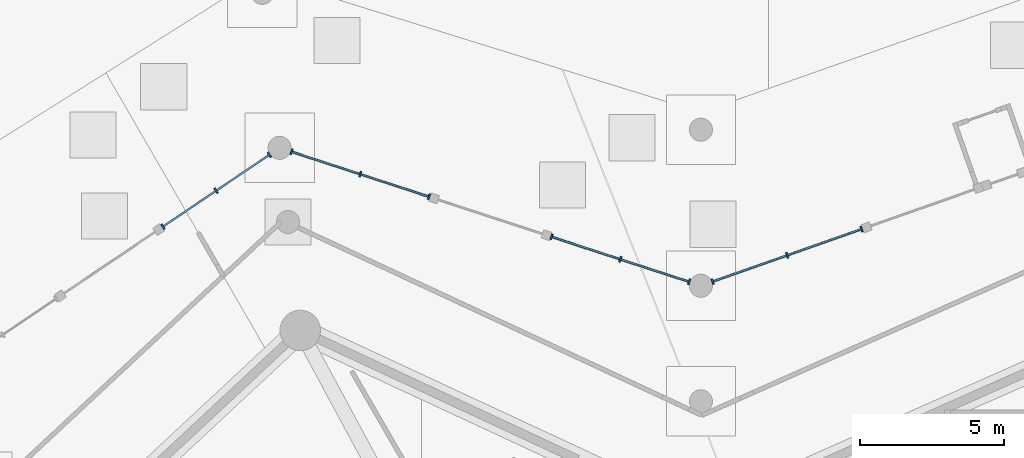
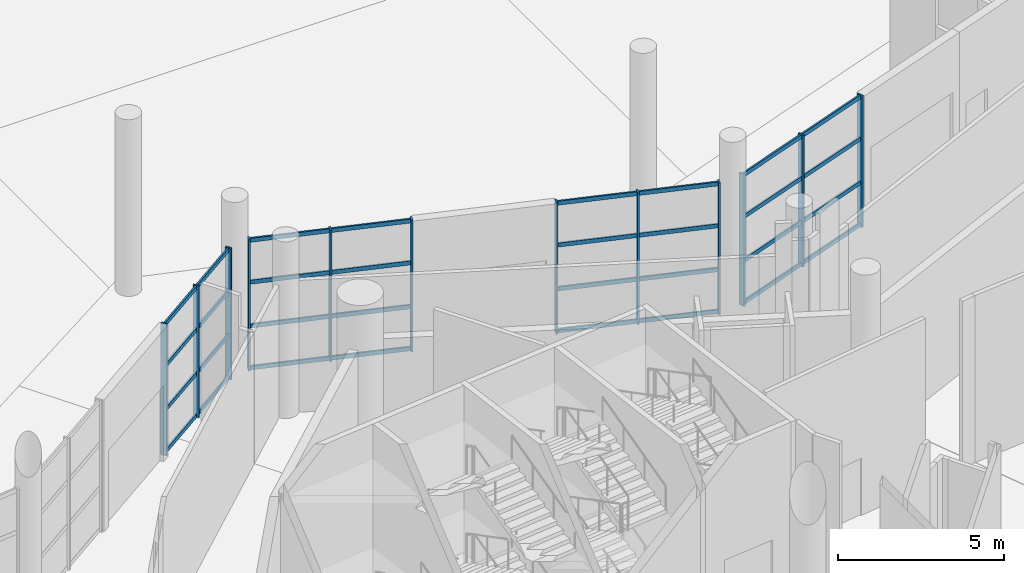
# One storey, part 54 of 255: 44 members, 4 elements without a shape of their own.
"""IFC4 building model written with IfcOpenShell, lengths in metres."""

from ifc_helpers import new_model, si_unit, direction, frame, origin, origin_2d, place, context, subcontext, project, spatial, rectangle, extrude, material, layer, layer_set, material_profile, profile_set, type_object, element, aggregate, save


model = new_model("IFC4")

# Units and contexts
model_context = context("Model", 3, precision=1e-05, world=origin(), true_north=direction((0.0, 1.0)))
body_context = subcontext(model_context, "Body", "Model", "MODEL_VIEW")
ifc_project = project(units=[si_unit("LENGTHUNIT", "METRE"), si_unit("AREAUNIT", "SQUARE_METRE"), si_unit("VOLUMEUNIT", "CUBIC_METRE"), si_unit("PLANEANGLEUNIT", "RADIAN"), si_unit("MASSUNIT", "GRAM", prefix="KILO")], contexts=[model_context])

# Site, building, storey
site_placement = place(None, origin())
site = spatial("IfcSite", under=ifc_project, at=site_placement, CompositionType="ELEMENT")
building_placement = place(site_placement, origin())
building = spatial("IfcBuilding", under=site, at=building_placement, Name="Meseta Stadium", CompositionType="ELEMENT")
storey_placement = place(building_placement, origin())
storey = spatial("IfcBuildingStorey", under=building, at=storey_placement, Name="L00", CompositionType="ELEMENT", Elevation=0.0)

# Curtain wall, members
ifc_material_1 = material(Name="Aluminium", Category="aluminium")
ifc_layer = layer(ifc_material_1, 0.199951171875)
ifc_layer_set = layer_set([ifc_layer], Name="Ring shopfront curtain wall")
curtain_wall_type = type_object("IfcCurtainWallType", Name="Ring shopfront curtain wall", PredefinedType="NOTDEFINED", material=ifc_layer_set)
curtain_wall_1_placement = place(storey_placement, origin())
curtain_wall_1 = element("IfcCurtainWall", 1, at=curtain_wall_1_placement, inside=storey, type_object=curtain_wall_type, Name="Shopfront glazing F20b", PredefinedType="NOTDEFINED")
ifc_material_2 = material(Name="Aluminium", Category="aluminium")
ifc_material_profile_1 = material_profile(ifc_material_2, rectangle(XDim=0.199951171875, YDim=0.06005859375, at=origin_2d()), Name="CW 200x60")
ifc_profile_set_1 = profile_set([ifc_material_profile_1], Name="Aluminium")
member_type_1 = type_object("IfcMemberType", Name="Ring CW mullion 60x200", PredefinedType="MULLION", material=ifc_profile_set_1)
member_1_placement = place(storey_placement, frame((-32.77001953125, 108.559326171875, 0.0), z_axis=(0.0, 0.0, 1.0), x_axis=(0.332170000181, -0.94321953488, 0.0)))
member_1 = element("IfcMember", 2, at=member_1_placement, type_object=member_type_1, Name="CWR1 mullion 1", PredefinedType="MULLION", context=body_context, shape_type="SweptSolid", body=[
    extrude(rectangle(XDim=0.199951171875, YDim=0.06005859375, at=origin_2d()), origin(), (0.0, 0.0, 1.0), 4.85009765625),
])
member_2_placement = place(storey_placement, frame((-35.348876953125, 107.651123046875, 0.0), z_axis=(0.0, 0.0, 1.0), x_axis=(0.332170000181, -0.94321953488, 0.0)))
member_2 = element("IfcMember", 3, at=member_2_placement, type_object=member_type_1, Name="CWR1 mullion 2", PredefinedType="MULLION", context=body_context, shape_type="SweptSolid", body=[
    extrude(rectangle(XDim=0.199951171875, YDim=0.06005859375, at=origin_2d()), origin(), (0.0, 0.0, 1.0), 4.85009765625),
])
member_3_placement = place(storey_placement, frame((-37.927734375, 106.742919921875, 0.0), z_axis=(0.0, 0.0, 1.0), x_axis=(0.332170000181, -0.94321953488, 0.0)))
member_3 = element("IfcMember", 4, at=member_3_placement, type_object=member_type_1, Name="CWR1 mullion 3", PredefinedType="MULLION", context=body_context, shape_type="SweptSolid", body=[
    extrude(rectangle(XDim=0.199951171875, YDim=0.06005859375, at=origin_2d()), origin(), (0.0, 0.0, 1.0), 4.85009765625),
])

curtain_wall_2_placement = place(storey_placement, origin())
curtain_wall_2 = element("IfcCurtainWall", 5, at=curtain_wall_2_placement, inside=storey, type_object=curtain_wall_type, Name="Shopfront glazing F21a", PredefinedType="NOTDEFINED")
member_4_placement = place(storey_placement, frame((-38.741943359375, 106.733642578125, 0.0), z_axis=(0.0, 0.0, 1.0), x_axis=(-0.311058814141, -0.950390663961, 0.0)))
member_4 = element("IfcMember", 6, at=member_4_placement, type_object=member_type_1, Name="CWR1 mullion 1", PredefinedType="MULLION", context=body_context, shape_type="SweptSolid", body=[
    extrude(rectangle(XDim=0.199951171875, YDim=0.06005859375, at=origin_2d()), origin(), (0.0, 0.0, 1.0), 4.85009765625),
])
member_5_placement = place(storey_placement, frame((-41.123291015625, 107.51318359375, 0.0), z_axis=(0.0, 0.0, 1.0), x_axis=(-0.311058814141, -0.950390663961, 0.0)))
member_5 = element("IfcMember", 7, at=member_5_placement, type_object=member_type_1, Name="CWR1 mullion 2", PredefinedType="MULLION", context=body_context, shape_type="SweptSolid", body=[
    extrude(rectangle(XDim=0.199951171875, YDim=0.06005859375, at=origin_2d()), origin(), (0.0, 0.0, 1.0), 4.85009765625),
])
member_6_placement = place(storey_placement, frame((-43.5048828125, 108.29248046875, 0.0), z_axis=(0.0, 0.0, 1.0), x_axis=(-0.311058814141, -0.950390663961, 0.0)))
member_6 = element("IfcMember", 8, at=member_6_placement, type_object=member_type_1, Name="CWR1 mullion 3", PredefinedType="MULLION", context=body_context, shape_type="SweptSolid", body=[
    extrude(rectangle(XDim=0.199951171875, YDim=0.06005859375, at=origin_2d()), origin(), (0.0, 0.0, 1.0), 4.85009765625),
])

curtain_wall_3_placement = place(storey_placement, origin())
curtain_wall_3 = element("IfcCurtainWall", 9, at=curtain_wall_3_placement, inside=storey, type_object=curtain_wall_type, Name="Shopfront glazing F21b", PredefinedType="NOTDEFINED")
member_7_placement = place(storey_placement, frame((-47.743408203125, 109.679931640625, 0.0), z_axis=(0.0, 0.0, 1.0), x_axis=(-0.311041003416, -0.950396493151, 0.0)))
member_7 = element("IfcMember", 10, at=member_7_placement, type_object=member_type_1, Name="CWR1 mullion 1", PredefinedType="MULLION", context=body_context, shape_type="SweptSolid", body=[
    extrude(rectangle(XDim=0.199951171875, YDim=0.06005859375, at=origin_2d()), origin(), (0.0, 0.0, 1.0), 4.85009765625),
])
member_8_placement = place(storey_placement, frame((-50.125, 110.459228515625, 0.0), z_axis=(0.0, 0.0, 1.0), x_axis=(-0.311041003416, -0.950396493151, 0.0)))
member_8 = element("IfcMember", 11, at=member_8_placement, type_object=member_type_1, Name="CWR1 mullion 2", PredefinedType="MULLION", context=body_context, shape_type="SweptSolid", body=[
    extrude(rectangle(XDim=0.199951171875, YDim=0.06005859375, at=origin_2d()), origin(), (0.0, 0.0, 1.0), 4.85009765625),
])
member_9_placement = place(storey_placement, frame((-52.50634765625, 111.238525390625, 0.0), z_axis=(0.0, 0.0, 1.0), x_axis=(-0.311041003416, -0.950396493151, 0.0)))
member_9 = element("IfcMember", 12, at=member_9_placement, type_object=member_type_1, Name="CWR1 mullion 3", PredefinedType="MULLION", context=body_context, shape_type="SweptSolid", body=[
    extrude(rectangle(XDim=0.199951171875, YDim=0.06005859375, at=origin_2d()), origin(), (0.0, 0.0, 1.0), 4.85009765625),
])

curtain_wall_4_placement = place(storey_placement, origin())
curtain_wall_4 = element("IfcCurtainWall", 13, at=curtain_wall_4_placement, inside=storey, type_object=curtain_wall_type, Name="Shopfront glazing F22a", PredefinedType="NOTDEFINED")
member_10_placement = place(storey_placement, frame((-53.271484375, 111.1318359375, 0.0), z_axis=(0.0, 0.0, 1.0), x_axis=(0.559368389201, -0.828919178909, 0.0)))
member_10 = element("IfcMember", 14, at=member_10_placement, type_object=member_type_1, Name="CWR1 mullion 1", PredefinedType="MULLION", context=body_context, shape_type="SweptSolid", body=[
    extrude(rectangle(XDim=0.199951171875, YDim=0.06005859375, at=origin_2d()), origin(), (0.0, 0.0, 1.0), 4.85009765625),
])
member_11_placement = place(storey_placement, frame((-55.11376953125, 109.888671875, 0.0), z_axis=(0.0, 0.0, 1.0), x_axis=(0.559368389201, -0.828919178909, 0.0)))
member_11 = element("IfcMember", 15, at=member_11_placement, type_object=member_type_1, Name="CWR1 mullion 2", PredefinedType="MULLION", context=body_context, shape_type="SweptSolid", body=[
    extrude(rectangle(XDim=0.199951171875, YDim=0.06005859375, at=origin_2d()), origin(), (0.0, 0.0, 1.0), 4.85009765625),
])
member_12_placement = place(storey_placement, frame((-56.955810546875, 108.6455078125, 0.0), z_axis=(0.0, 0.0, 1.0), x_axis=(0.559368389201, -0.828919178909, 0.0)))
member_12 = element("IfcMember", 16, at=member_12_placement, type_object=member_type_1, Name="CWR1 mullion 3", PredefinedType="MULLION", context=body_context, shape_type="SweptSolid", body=[
    extrude(rectangle(XDim=0.199951171875, YDim=0.06005859375, at=origin_2d()), origin(), (0.0, 0.0, 1.0), 4.85009765625),
])

# Member
ifc_material_3 = material(Name="Aluminium", Category="aluminium")
ifc_material_profile_2 = material_profile(ifc_material_3, rectangle(XDim=0.06005859375, YDim=0.14990234375, at=origin_2d()), Name="CW 60x150")
ifc_profile_set_2 = profile_set([ifc_material_profile_2], Name="Aluminium")
member_type_2 = type_object("IfcMemberType", Name="Ring CW transom 60x150", PredefinedType="USERDEFINED", material=ifc_profile_set_2)
member_13_placement = place(storey_placement, frame((-32.79833984375, 108.54931640625, 0.074951171875), z_axis=(-0.943226073385, -0.332151433063, 0.0), x_axis=(0.332151433063, -0.943226073385, 0.0)))
member_13 = element("IfcMember", 17, at=member_13_placement, type_object=member_type_2, Name="CWR1 transom 1.1", ObjectType="TRANSOM", PredefinedType="USERDEFINED", context=body_context, shape_type="SweptSolid", body=[
    extrude(rectangle(XDim=0.06005859375, YDim=0.14990234375, at=origin_2d()), origin(), (0.0, 0.0, 1.0), 2.674072265625),
])

member_14_placement = place(storey_placement, frame((-32.79833984375, 108.54931640625, 1.61669921875), z_axis=(-0.943226073385, -0.332151433063, 0.0), x_axis=(0.332151433063, -0.943226073385, 0.0)))
member_14 = element("IfcMember", 18, at=member_14_placement, type_object=member_type_2, Name="CWR1 transom 1.2", ObjectType="TRANSOM", PredefinedType="USERDEFINED", context=body_context, shape_type="SweptSolid", body=[
    extrude(rectangle(XDim=0.06005859375, YDim=0.14990234375, at=origin_2d()), origin(), (0.0, 0.0, 1.0), 2.674072265625),
])

member_15_placement = place(storey_placement, frame((-32.79833984375, 108.54931640625, 3.2333984375), z_axis=(-0.943226073385, -0.332151433063, 0.0), x_axis=(0.332151433063, -0.943226073385, 0.0)))
member_15 = element("IfcMember", 19, at=member_15_placement, type_object=member_type_2, Name="CWR1 transom 1.3", ObjectType="TRANSOM", PredefinedType="USERDEFINED", context=body_context, shape_type="SweptSolid", body=[
    extrude(rectangle(XDim=0.06005859375, YDim=0.14990234375, at=origin_2d()), origin(), (0.0, 0.0, 1.0), 2.674072265625),
])

member_16_placement = place(storey_placement, frame((-32.79833984375, 108.54931640625, 4.77490234375), z_axis=(-0.943226073385, -0.332151433063, 0.0), x_axis=(0.332151433063, -0.943226073385, 0.0)))
member_16 = element("IfcMember", 20, at=member_16_placement, type_object=member_type_2, Name="CWR1 transom 1.4", ObjectType="TRANSOM", PredefinedType="USERDEFINED", context=body_context, shape_type="SweptSolid", body=[
    extrude(rectangle(XDim=0.06005859375, YDim=0.14990234375, at=origin_2d()), origin(), (0.0, 0.0, 1.0), 2.674072265625),
])

member_17_placement = place(storey_placement, frame((-35.377197265625, 107.64111328125, 0.074951171875), z_axis=(-0.943226073385, -0.332151433063, 0.0), x_axis=(0.332151433063, -0.943226073385, 0.0)))
member_17 = element("IfcMember", 21, at=member_17_placement, type_object=member_type_2, Name="CWR1 transom 2.1", ObjectType="TRANSOM", PredefinedType="USERDEFINED", context=body_context, shape_type="SweptSolid", body=[
    extrude(rectangle(XDim=0.06005859375, YDim=0.14990234375, at=origin_2d()), origin(), (0.0, 0.0, 1.0), 2.674072265625),
])

member_18_placement = place(storey_placement, frame((-35.377197265625, 107.64111328125, 1.61669921875), z_axis=(-0.943226073385, -0.332151433063, 0.0), x_axis=(0.332151433063, -0.943226073385, 0.0)))
member_18 = element("IfcMember", 22, at=member_18_placement, type_object=member_type_2, Name="CWR1 transom 2.2", ObjectType="TRANSOM", PredefinedType="USERDEFINED", context=body_context, shape_type="SweptSolid", body=[
    extrude(rectangle(XDim=0.06005859375, YDim=0.14990234375, at=origin_2d()), origin(), (0.0, 0.0, 1.0), 2.674072265625),
])

member_19_placement = place(storey_placement, frame((-35.377197265625, 107.64111328125, 3.2333984375), z_axis=(-0.943226073385, -0.332151433063, 0.0), x_axis=(0.332151433063, -0.943226073385, 0.0)))
member_19 = element("IfcMember", 23, at=member_19_placement, type_object=member_type_2, Name="CWR1 transom 2.3", ObjectType="TRANSOM", PredefinedType="USERDEFINED", context=body_context, shape_type="SweptSolid", body=[
    extrude(rectangle(XDim=0.06005859375, YDim=0.14990234375, at=origin_2d()), origin(), (0.0, 0.0, 1.0), 2.674072265625),
])

member_20_placement = place(storey_placement, frame((-35.377197265625, 107.64111328125, 4.77490234375), z_axis=(-0.943226073385, -0.332151433063, 0.0), x_axis=(0.332151433063, -0.943226073385, 0.0)))
member_20 = element("IfcMember", 24, at=member_20_placement, type_object=member_type_2, Name="CWR1 transom 2.4", ObjectType="TRANSOM", PredefinedType="USERDEFINED", context=body_context, shape_type="SweptSolid", body=[
    extrude(rectangle(XDim=0.06005859375, YDim=0.14990234375, at=origin_2d()), origin(), (0.0, 0.0, 1.0), 2.674072265625),
])

aggregate(curtain_wall_1, [member_1, member_2, member_3, member_13, member_14, member_15, member_16, member_17, member_18, member_19, member_20])

member_21_placement = place(storey_placement, frame((-38.7705078125, 106.7431640625, 0.074951171875), z_axis=(-0.950396056015, 0.311042339097, 0.0), x_axis=(-0.311042339097, -0.950396056015, 0.0)))
member_21 = element("IfcMember", 25, at=member_21_placement, type_object=member_type_2, Name="CWR1 transom 1.1", ObjectType="TRANSOM", PredefinedType="USERDEFINED", context=body_context, shape_type="SweptSolid", body=[
    extrude(rectangle(XDim=0.06005859375, YDim=0.14990234375, at=origin_2d()), origin(), (0.0, 0.0, 1.0), 2.44580078125),
])

member_22_placement = place(storey_placement, frame((-38.7705078125, 106.7431640625, 1.61669921875), z_axis=(-0.950396056015, 0.311042339097, 0.0), x_axis=(-0.311042339097, -0.950396056015, 0.0)))
member_22 = element("IfcMember", 26, at=member_22_placement, type_object=member_type_2, Name="CWR1 transom 1.2", ObjectType="TRANSOM", PredefinedType="USERDEFINED", context=body_context, shape_type="SweptSolid", body=[
    extrude(rectangle(XDim=0.06005859375, YDim=0.14990234375, at=origin_2d()), origin(), (0.0, 0.0, 1.0), 2.44580078125),
])

member_23_placement = place(storey_placement, frame((-38.7705078125, 106.7431640625, 3.2333984375), z_axis=(-0.950396056015, 0.311042339097, 0.0), x_axis=(-0.311042339097, -0.950396056015, 0.0)))
member_23 = element("IfcMember", 27, at=member_23_placement, type_object=member_type_2, Name="CWR1 transom 1.3", ObjectType="TRANSOM", PredefinedType="USERDEFINED", context=body_context, shape_type="SweptSolid", body=[
    extrude(rectangle(XDim=0.06005859375, YDim=0.14990234375, at=origin_2d()), origin(), (0.0, 0.0, 1.0), 2.44580078125),
])

member_24_placement = place(storey_placement, frame((-38.7705078125, 106.7431640625, 4.77490234375), z_axis=(-0.950396056015, 0.311042339097, 0.0), x_axis=(-0.311042339097, -0.950396056015, 0.0)))
member_24 = element("IfcMember", 28, at=member_24_placement, type_object=member_type_2, Name="CWR1 transom 1.4", ObjectType="TRANSOM", PredefinedType="USERDEFINED", context=body_context, shape_type="SweptSolid", body=[
    extrude(rectangle(XDim=0.06005859375, YDim=0.14990234375, at=origin_2d()), origin(), (0.0, 0.0, 1.0), 2.44580078125),
])

member_25_placement = place(storey_placement, frame((-41.15185546875, 107.5224609375, 0.074951171875), z_axis=(-0.950396056015, 0.311042339097, 0.0), x_axis=(-0.311042339097, -0.950396056015, 0.0)))
member_25 = element("IfcMember", 29, at=member_25_placement, type_object=member_type_2, Name="CWR1 transom 2.1", ObjectType="TRANSOM", PredefinedType="USERDEFINED", context=body_context, shape_type="SweptSolid", body=[
    extrude(rectangle(XDim=0.06005859375, YDim=0.14990234375, at=origin_2d()), origin(), (0.0, 0.0, 1.0), 2.44580078125),
])

member_26_placement = place(storey_placement, frame((-41.15185546875, 107.5224609375, 1.61669921875), z_axis=(-0.950396056015, 0.311042339097, 0.0), x_axis=(-0.311042339097, -0.950396056015, 0.0)))
member_26 = element("IfcMember", 30, at=member_26_placement, type_object=member_type_2, Name="CWR1 transom 2.2", ObjectType="TRANSOM", PredefinedType="USERDEFINED", context=body_context, shape_type="SweptSolid", body=[
    extrude(rectangle(XDim=0.06005859375, YDim=0.14990234375, at=origin_2d()), origin(), (0.0, 0.0, 1.0), 2.44580078125),
])

member_27_placement = place(storey_placement, frame((-41.15185546875, 107.5224609375, 3.2333984375), z_axis=(-0.950396056015, 0.311042339097, 0.0), x_axis=(-0.311042339097, -0.950396056015, 0.0)))
member_27 = element("IfcMember", 31, at=member_27_placement, type_object=member_type_2, Name="CWR1 transom 2.3", ObjectType="TRANSOM", PredefinedType="USERDEFINED", context=body_context, shape_type="SweptSolid", body=[
    extrude(rectangle(XDim=0.06005859375, YDim=0.14990234375, at=origin_2d()), origin(), (0.0, 0.0, 1.0), 2.44580078125),
])

member_28_placement = place(storey_placement, frame((-41.15185546875, 107.5224609375, 4.77490234375), z_axis=(-0.950396056015, 0.311042339097, 0.0), x_axis=(-0.311042339097, -0.950396056015, 0.0)))
member_28 = element("IfcMember", 32, at=member_28_placement, type_object=member_type_2, Name="CWR1 transom 2.4", ObjectType="TRANSOM", PredefinedType="USERDEFINED", context=body_context, shape_type="SweptSolid", body=[
    extrude(rectangle(XDim=0.06005859375, YDim=0.14990234375, at=origin_2d()), origin(), (0.0, 0.0, 1.0), 2.44580078125),
])

aggregate(curtain_wall_2, [member_4, member_5, member_6, member_21, member_22, member_23, member_24, member_25, member_26, member_27, member_28])

member_29_placement = place(storey_placement, frame((-47.77197265625, 109.689208984375, 0.074951171875), z_axis=(-0.950396056015, 0.311042339097, 0.0), x_axis=(-0.311042339097, -0.950396056015, 0.0)))
member_29 = element("IfcMember", 33, at=member_29_placement, type_object=member_type_2, Name="CWR1 transom 1.1", ObjectType="TRANSOM", PredefinedType="USERDEFINED", context=body_context, shape_type="SweptSolid", body=[
    extrude(rectangle(XDim=0.06005859375, YDim=0.14990234375, at=origin_2d()), origin(), (0.0, 0.0, 1.0), 2.44580078125),
])

member_30_placement = place(storey_placement, frame((-47.77197265625, 109.689208984375, 1.61669921875), z_axis=(-0.950396056015, 0.311042339097, 0.0), x_axis=(-0.311042339097, -0.950396056015, 0.0)))
member_30 = element("IfcMember", 34, at=member_30_placement, type_object=member_type_2, Name="CWR1 transom 1.2", ObjectType="TRANSOM", PredefinedType="USERDEFINED", context=body_context, shape_type="SweptSolid", body=[
    extrude(rectangle(XDim=0.06005859375, YDim=0.14990234375, at=origin_2d()), origin(), (0.0, 0.0, 1.0), 2.44580078125),
])

member_31_placement = place(storey_placement, frame((-47.77197265625, 109.689208984375, 3.2333984375), z_axis=(-0.950396056015, 0.311042339097, 0.0), x_axis=(-0.311042339097, -0.950396056015, 0.0)))
member_31 = element("IfcMember", 35, at=member_31_placement, type_object=member_type_2, Name="CWR1 transom 1.3", ObjectType="TRANSOM", PredefinedType="USERDEFINED", context=body_context, shape_type="SweptSolid", body=[
    extrude(rectangle(XDim=0.06005859375, YDim=0.14990234375, at=origin_2d()), origin(), (0.0, 0.0, 1.0), 2.44580078125),
])

member_32_placement = place(storey_placement, frame((-47.77197265625, 109.689208984375, 4.77490234375), z_axis=(-0.950396056015, 0.311042339097, 0.0), x_axis=(-0.311042339097, -0.950396056015, 0.0)))
member_32 = element("IfcMember", 36, at=member_32_placement, type_object=member_type_2, Name="CWR1 transom 1.4", ObjectType="TRANSOM", PredefinedType="USERDEFINED", context=body_context, shape_type="SweptSolid", body=[
    extrude(rectangle(XDim=0.06005859375, YDim=0.14990234375, at=origin_2d()), origin(), (0.0, 0.0, 1.0), 2.44580078125),
])

member_33_placement = place(storey_placement, frame((-50.1533203125, 110.468505859375, 0.074951171875), z_axis=(-0.950396056015, 0.311042339097, 0.0), x_axis=(-0.311042339097, -0.950396056015, 0.0)))
member_33 = element("IfcMember", 37, at=member_33_placement, type_object=member_type_2, Name="CWR1 transom 2.1", ObjectType="TRANSOM", PredefinedType="USERDEFINED", context=body_context, shape_type="SweptSolid", body=[
    extrude(rectangle(XDim=0.06005859375, YDim=0.14990234375, at=origin_2d()), origin(), (0.0, 0.0, 1.0), 2.44580078125),
])

member_34_placement = place(storey_placement, frame((-50.1533203125, 110.468505859375, 1.61669921875), z_axis=(-0.950396056015, 0.311042339097, 0.0), x_axis=(-0.311042339097, -0.950396056015, 0.0)))
member_34 = element("IfcMember", 38, at=member_34_placement, type_object=member_type_2, Name="CWR1 transom 2.2", ObjectType="TRANSOM", PredefinedType="USERDEFINED", context=body_context, shape_type="SweptSolid", body=[
    extrude(rectangle(XDim=0.06005859375, YDim=0.14990234375, at=origin_2d()), origin(), (0.0, 0.0, 1.0), 2.44580078125),
])

member_35_placement = place(storey_placement, frame((-50.1533203125, 110.468505859375, 3.2333984375), z_axis=(-0.950396056015, 0.311042339097, 0.0), x_axis=(-0.311042339097, -0.950396056015, 0.0)))
member_35 = element("IfcMember", 39, at=member_35_placement, type_object=member_type_2, Name="CWR1 transom 2.3", ObjectType="TRANSOM", PredefinedType="USERDEFINED", context=body_context, shape_type="SweptSolid", body=[
    extrude(rectangle(XDim=0.06005859375, YDim=0.14990234375, at=origin_2d()), origin(), (0.0, 0.0, 1.0), 2.44580078125),
])

member_36_placement = place(storey_placement, frame((-50.1533203125, 110.468505859375, 4.77490234375), z_axis=(-0.950396056015, 0.311042339097, 0.0), x_axis=(-0.311042339097, -0.950396056015, 0.0)))
member_36 = element("IfcMember", 40, at=member_36_placement, type_object=member_type_2, Name="CWR1 transom 2.4", ObjectType="TRANSOM", PredefinedType="USERDEFINED", context=body_context, shape_type="SweptSolid", body=[
    extrude(rectangle(XDim=0.06005859375, YDim=0.14990234375, at=origin_2d()), origin(), (0.0, 0.0, 1.0), 2.44580078125),
])

aggregate(curtain_wall_3, [member_7, member_8, member_9, member_29, member_30, member_31, member_32, member_33, member_34, member_35, member_36])

member_37_placement = place(storey_placement, frame((-53.29638671875, 111.114990234375, 0.074951171875), z_axis=(-0.828945520124, -0.559329352587, 0.0), x_axis=(0.559329352587, -0.828945520124, 0.0)))
member_37 = element("IfcMember", 41, at=member_37_placement, type_object=member_type_2, Name="CWR1 transom 1.1", ObjectType="TRANSOM", PredefinedType="USERDEFINED", context=body_context, shape_type="SweptSolid", body=[
    extrude(rectangle(XDim=0.06005859375, YDim=0.14990234375, at=origin_2d()), origin(), (0.0, 0.0, 1.0), 2.162353515625),
])

member_38_placement = place(storey_placement, frame((-53.29638671875, 111.114990234375, 1.61669921875), z_axis=(-0.828945520124, -0.559329352587, 0.0), x_axis=(0.559329352587, -0.828945520124, 0.0)))
member_38 = element("IfcMember", 42, at=member_38_placement, type_object=member_type_2, Name="CWR1 transom 1.2", ObjectType="TRANSOM", PredefinedType="USERDEFINED", context=body_context, shape_type="SweptSolid", body=[
    extrude(rectangle(XDim=0.06005859375, YDim=0.14990234375, at=origin_2d()), origin(), (0.0, 0.0, 1.0), 2.162353515625),
])

member_39_placement = place(storey_placement, frame((-53.29638671875, 111.114990234375, 3.2333984375), z_axis=(-0.828945520124, -0.559329352587, 0.0), x_axis=(0.559329352587, -0.828945520124, 0.0)))
member_39 = element("IfcMember", 43, at=member_39_placement, type_object=member_type_2, Name="CWR1 transom 1.3", ObjectType="TRANSOM", PredefinedType="USERDEFINED", context=body_context, shape_type="SweptSolid", body=[
    extrude(rectangle(XDim=0.06005859375, YDim=0.14990234375, at=origin_2d()), origin(), (0.0, 0.0, 1.0), 2.162353515625),
])

member_40_placement = place(storey_placement, frame((-53.29638671875, 111.114990234375, 4.77490234375), z_axis=(-0.828945520124, -0.559329352587, 0.0), x_axis=(0.559329352587, -0.828945520124, 0.0)))
member_40 = element("IfcMember", 44, at=member_40_placement, type_object=member_type_2, Name="CWR1 transom 1.4", ObjectType="TRANSOM", PredefinedType="USERDEFINED", context=body_context, shape_type="SweptSolid", body=[
    extrude(rectangle(XDim=0.06005859375, YDim=0.14990234375, at=origin_2d()), origin(), (0.0, 0.0, 1.0), 2.162353515625),
])

member_41_placement = place(storey_placement, frame((-55.138671875, 109.871826171875, 0.074951171875), z_axis=(-0.828945520124, -0.559329352587, 0.0), x_axis=(0.559329352587, -0.828945520124, 0.0)))
member_41 = element("IfcMember", 45, at=member_41_placement, type_object=member_type_2, Name="CWR1 transom 2.1", ObjectType="TRANSOM", PredefinedType="USERDEFINED", context=body_context, shape_type="SweptSolid", body=[
    extrude(rectangle(XDim=0.06005859375, YDim=0.14990234375, at=origin_2d()), origin(), (0.0, 0.0, 1.0), 2.162353515625),
])

member_42_placement = place(storey_placement, frame((-55.138671875, 109.871826171875, 1.61669921875), z_axis=(-0.828945520124, -0.559329352587, 0.0), x_axis=(0.559329352587, -0.828945520124, 0.0)))
member_42 = element("IfcMember", 46, at=member_42_placement, type_object=member_type_2, Name="CWR1 transom 2.2", ObjectType="TRANSOM", PredefinedType="USERDEFINED", context=body_context, shape_type="SweptSolid", body=[
    extrude(rectangle(XDim=0.06005859375, YDim=0.14990234375, at=origin_2d()), origin(), (0.0, 0.0, 1.0), 2.162353515625),
])

member_43_placement = place(storey_placement, frame((-55.138671875, 109.871826171875, 3.2333984375), z_axis=(-0.828945520124, -0.559329352587, 0.0), x_axis=(0.559329352587, -0.828945520124, 0.0)))
member_43 = element("IfcMember", 47, at=member_43_placement, type_object=member_type_2, Name="CWR1 transom 2.3", ObjectType="TRANSOM", PredefinedType="USERDEFINED", context=body_context, shape_type="SweptSolid", body=[
    extrude(rectangle(XDim=0.06005859375, YDim=0.14990234375, at=origin_2d()), origin(), (0.0, 0.0, 1.0), 2.162353515625),
])

member_44_placement = place(storey_placement, frame((-55.138671875, 109.871826171875, 4.77490234375), z_axis=(-0.828945520124, -0.559329352587, 0.0), x_axis=(0.559329352587, -0.828945520124, 0.0)))
member_44 = element("IfcMember", 48, at=member_44_placement, type_object=member_type_2, Name="CWR1 transom 2.4", ObjectType="TRANSOM", PredefinedType="USERDEFINED", context=body_context, shape_type="SweptSolid", body=[
    extrude(rectangle(XDim=0.06005859375, YDim=0.14990234375, at=origin_2d()), origin(), (0.0, 0.0, 1.0), 2.162353515625),
])

aggregate(curtain_wall_4, [member_10, member_11, member_12, member_37, member_38, member_39, member_40, member_41, member_42, member_43, member_44])

save(model, "model.ifc")
